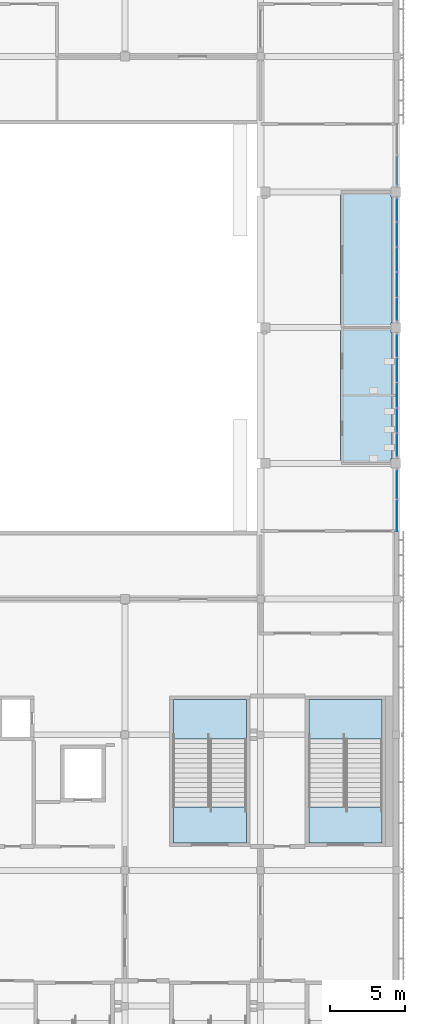
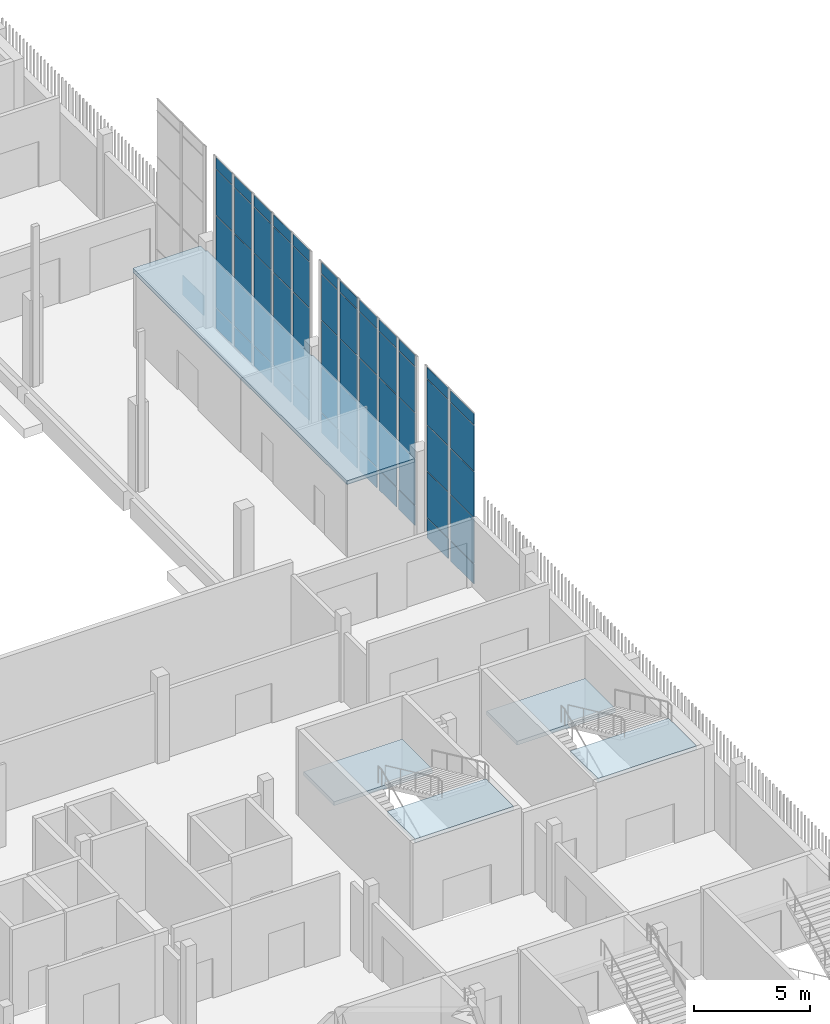
# One storey, part 38 of 91: 61 plates, 5 slabs, 6 elements without a shape of their own.
"""IFC4 building model written with IfcOpenShell, lengths in metres."""

from ifc_helpers import new_model, si_unit, direction, frame, origin, origin_2d, place, context, subcontext, project, spatial, polyline, rectangle, outline, extrude, material, layer, layer_set, type_object, element, aggregate, save


model = new_model("IFC4")

# Units and contexts
model_context = context("Model", 3, precision=1e-05, world=origin(), true_north=direction((0.0, 1.0)))
body_context = subcontext(model_context, "Body", "Model", "MODEL_VIEW")
ifc_project = project(units=[si_unit("LENGTHUNIT", "METRE"), si_unit("AREAUNIT", "SQUARE_METRE"), si_unit("VOLUMEUNIT", "CUBIC_METRE"), si_unit("PLANEANGLEUNIT", "RADIAN"), si_unit("MASSUNIT", "GRAM", prefix="KILO")], contexts=[model_context])

# Site, building, storey
site_placement = place(None, origin())
site = spatial("IfcSite", under=ifc_project, at=site_placement, CompositionType="ELEMENT")
building_placement = place(site_placement, origin())
building = spatial("IfcBuilding", under=site, at=building_placement, Name="Shirokan Park Arena", CompositionType="ELEMENT")
storey_placement = place(building_placement, frame((0.0, 0.0, 24.570068359375)))
storey = spatial("IfcBuildingStorey", under=building, at=storey_placement, Name="L05", CompositionType="ELEMENT", Elevation=24.570068359375)

# Curtain wall, plates
ifc_material_1 = material(Name="Steel and glass curtain wall", Category="steel")
ifc_layer_1 = layer(ifc_material_1, 0.199951171875)
ifc_layer_set_1 = layer_set([ifc_layer_1], Name="Steel and glass curtain wall 200 mm")
curtain_wall_type = type_object("IfcCurtainWallType", Name="Curtain wall hall bay 200", PredefinedType="NOTDEFINED", material=ifc_layer_set_1)
curtain_wall_1_placement = place(storey_placement, origin())
curtain_wall_1 = element("IfcCurtainWall", 1, at=curtain_wall_1_placement, inside=storey, type_object=curtain_wall_type, Name="Curtain wall east bay 5 L05", PredefinedType="NOTDEFINED")
ifc_material_2 = material(Name="Toughened glass", Category="glass")
ifc_layer_2 = layer(ifc_material_2, 0.012939453125, Name="Toughened glass")
ifc_material_3 = material(Name="Interlayer film")
ifc_layer_3 = layer(ifc_material_3, 0.001953125, Name="Interlayer film")
ifc_layer_4 = layer(ifc_material_2, 0.012939453125, Name="Toughened glass")
ifc_layer_set_2 = layer_set([ifc_layer_2, ifc_layer_3, ifc_layer_4], Name="Toughened glass + Interlayer film")
plate_type_1 = type_object("IfcPlateType", Name="Laminated glass panel 28", PredefinedType="CURTAIN_PANEL", material=ifc_layer_set_2)
plate_1_placement = place(storey_placement, frame((145.64990234375, 41.956298828125, 1.1201171875), z_axis=(0.0, 0.0, 1.0), x_axis=(0.0, 1.0, 0.0)))
plate_1 = element("IfcPlate", 2, at=plate_1_placement, type_object=plate_type_1, Name="CW5 panel 1.2", PredefinedType="CURTAIN_PANEL", context=body_context, shape_type="SweptSolid", body=[
    extrude(rectangle(XDim=2.012451171875, YDim=0.028076171875, at=origin_2d()), origin(), (0.0, 0.0, 1.0), 2.393310546875),
])
plate_2_placement = place(storey_placement, frame((145.64990234375, 41.956298828125, 3.55322265625), z_axis=(0.0, 0.0, 1.0), x_axis=(0.0, 1.0, 0.0)))
plate_2 = element("IfcPlate", 3, at=plate_2_placement, type_object=plate_type_1, Name="CW5 panel 1.3", PredefinedType="CURTAIN_PANEL", context=body_context, shape_type="SweptSolid", body=[
    extrude(rectangle(XDim=2.012451171875, YDim=0.028076171875, at=origin_2d()), origin(), (0.0, 0.0, 1.0), 2.393310546875),
])
plate_3_placement = place(storey_placement, frame((145.64990234375, 41.956298828125, 5.98681640625), z_axis=(0.0, 0.0, 1.0), x_axis=(0.0, 1.0, 0.0)))
plate_3 = element("IfcPlate", 4, at=plate_3_placement, type_object=plate_type_1, Name="CW5 panel 1.4", PredefinedType="CURTAIN_PANEL", context=body_context, shape_type="SweptSolid", body=[
    extrude(rectangle(XDim=2.012451171875, YDim=0.028076171875, at=origin_2d()), origin(), (0.0, 0.0, 1.0), 2.393310546875),
])
plate_4_placement = place(storey_placement, frame((145.64990234375, 41.956298828125, 8.419921875), z_axis=(0.0, 0.0, 1.0), x_axis=(0.0, 1.0, 0.0)))
plate_4 = element("IfcPlate", 5, at=plate_4_placement, type_object=plate_type_1, Name="CW5 panel 1.5", PredefinedType="CURTAIN_PANEL", context=body_context, shape_type="SweptSolid", body=[
    extrude(rectangle(XDim=2.012451171875, YDim=0.028076171875, at=origin_2d()), origin(), (0.0, 0.0, 1.0), 0.590087890625),
])
plate_5_placement = place(storey_placement, frame((145.64990234375, 44.06884765625, 1.1201171875), z_axis=(0.0, 0.0, 1.0), x_axis=(0.0, 1.0, 0.0)))
plate_5 = element("IfcPlate", 6, at=plate_5_placement, type_object=plate_type_1, Name="CW5 panel 2.2", PredefinedType="CURTAIN_PANEL", context=body_context, shape_type="SweptSolid", body=[
    extrude(rectangle(XDim=1.8125, YDim=0.028076171875, at=origin_2d()), origin(), (0.0, 0.0, 1.0), 2.393310546875),
])
plate_6_placement = place(storey_placement, frame((145.64990234375, 44.06884765625, 3.55322265625), z_axis=(0.0, 0.0, 1.0), x_axis=(0.0, 1.0, 0.0)))
plate_6 = element("IfcPlate", 7, at=plate_6_placement, type_object=plate_type_1, Name="CW5 panel 2.3", PredefinedType="CURTAIN_PANEL", context=body_context, shape_type="SweptSolid", body=[
    extrude(rectangle(XDim=1.8125, YDim=0.028076171875, at=origin_2d()), origin(), (0.0, 0.0, 1.0), 2.393310546875),
])
plate_7_placement = place(storey_placement, frame((145.64990234375, 44.06884765625, 5.98681640625), z_axis=(0.0, 0.0, 1.0), x_axis=(0.0, 1.0, 0.0)))
plate_7 = element("IfcPlate", 8, at=plate_7_placement, type_object=plate_type_1, Name="CW5 panel 2.4", PredefinedType="CURTAIN_PANEL", context=body_context, shape_type="SweptSolid", body=[
    extrude(rectangle(XDim=1.8125, YDim=0.028076171875, at=origin_2d()), origin(), (0.0, 0.0, 1.0), 2.393310546875),
])
plate_8_placement = place(storey_placement, frame((145.64990234375, 44.06884765625, 8.419921875), z_axis=(0.0, 0.0, 1.0), x_axis=(0.0, 1.0, 0.0)))
plate_8 = element("IfcPlate", 9, at=plate_8_placement, type_object=plate_type_1, Name="CW5 panel 2.5", PredefinedType="CURTAIN_PANEL", context=body_context, shape_type="SweptSolid", body=[
    extrude(rectangle(XDim=1.8125, YDim=0.028076171875, at=origin_2d()), origin(), (0.0, 0.0, 1.0), 0.590087890625),
])

curtain_wall_2_placement = place(storey_placement, origin())
curtain_wall_2 = element("IfcCurtainWall", 10, at=curtain_wall_2_placement, inside=storey, type_object=curtain_wall_type, Name="Curtain wall east bay 6 L05", PredefinedType="NOTDEFINED")
plate_9_placement = place(storey_placement, frame((145.64990234375, 46.719970703125, 1.1201171875), z_axis=(0.0, 0.0, 1.0), x_axis=(0.0, 1.0, 0.0)))
plate_9 = element("IfcPlate", 11, at=plate_9_placement, type_object=plate_type_1, Name="CW5 panel 1.2", PredefinedType="CURTAIN_PANEL", context=body_context, shape_type="SweptSolid", body=[
    extrude(rectangle(XDim=1.389892578125, YDim=0.028076171875, at=origin_2d()), origin(), (0.0, 0.0, 1.0), 2.393310546875),
])
plate_10_placement = place(storey_placement, frame((145.64990234375, 46.719970703125, 3.55322265625), z_axis=(0.0, 0.0, 1.0), x_axis=(0.0, 1.0, 0.0)))
plate_10 = element("IfcPlate", 12, at=plate_10_placement, type_object=plate_type_1, Name="CW5 panel 1.3", PredefinedType="CURTAIN_PANEL", context=body_context, shape_type="SweptSolid", body=[
    extrude(rectangle(XDim=1.389892578125, YDim=0.028076171875, at=origin_2d()), origin(), (0.0, 0.0, 1.0), 2.393310546875),
])
plate_11_placement = place(storey_placement, frame((145.64990234375, 46.719970703125, 5.98681640625), z_axis=(0.0, 0.0, 1.0), x_axis=(0.0, 1.0, 0.0)))
plate_11 = element("IfcPlate", 13, at=plate_11_placement, type_object=plate_type_1, Name="CW5 panel 1.4", PredefinedType="CURTAIN_PANEL", context=body_context, shape_type="SweptSolid", body=[
    extrude(rectangle(XDim=1.389892578125, YDim=0.028076171875, at=origin_2d()), origin(), (0.0, 0.0, 1.0), 2.393310546875),
])
plate_12_placement = place(storey_placement, frame((145.64990234375, 46.719970703125, 8.419921875), z_axis=(0.0, 0.0, 1.0), x_axis=(0.0, 1.0, 0.0)))
plate_12 = element("IfcPlate", 14, at=plate_12_placement, type_object=plate_type_1, Name="CW5 panel 1.5", PredefinedType="CURTAIN_PANEL", context=body_context, shape_type="SweptSolid", body=[
    extrude(rectangle(XDim=1.389892578125, YDim=0.028076171875, at=origin_2d()), origin(), (0.0, 0.0, 1.0), 0.590087890625),
])
plate_13_placement = place(storey_placement, frame((145.64990234375, 48.360107421875, 1.1201171875), z_axis=(0.0, 0.0, 1.0), x_axis=(0.0, 1.0, 0.0)))
plate_13 = element("IfcPlate", 15, at=plate_13_placement, type_object=plate_type_1, Name="CW5 panel 2.2", PredefinedType="CURTAIN_PANEL", context=body_context, shape_type="SweptSolid", body=[
    extrude(rectangle(XDim=1.489990234375, YDim=0.028076171875, at=origin_2d()), origin(), (0.0, 0.0, 1.0), 2.393310546875),
])
plate_14_placement = place(storey_placement, frame((145.64990234375, 48.360107421875, 3.55322265625), z_axis=(0.0, 0.0, 1.0), x_axis=(0.0, 1.0, 0.0)))
plate_14 = element("IfcPlate", 16, at=plate_14_placement, type_object=plate_type_1, Name="CW5 panel 2.3", PredefinedType="CURTAIN_PANEL", context=body_context, shape_type="SweptSolid", body=[
    extrude(rectangle(XDim=1.489990234375, YDim=0.028076171875, at=origin_2d()), origin(), (0.0, 0.0, 1.0), 2.393310546875),
])
plate_15_placement = place(storey_placement, frame((145.64990234375, 48.360107421875, 5.98681640625), z_axis=(0.0, 0.0, 1.0), x_axis=(0.0, 1.0, 0.0)))
plate_15 = element("IfcPlate", 17, at=plate_15_placement, type_object=plate_type_1, Name="CW5 panel 2.4", PredefinedType="CURTAIN_PANEL", context=body_context, shape_type="SweptSolid", body=[
    extrude(rectangle(XDim=1.489990234375, YDim=0.028076171875, at=origin_2d()), origin(), (0.0, 0.0, 1.0), 2.393310546875),
])
plate_16_placement = place(storey_placement, frame((145.64990234375, 48.360107421875, 8.419921875), z_axis=(0.0, 0.0, 1.0), x_axis=(0.0, 1.0, 0.0)))
plate_16 = element("IfcPlate", 18, at=plate_16_placement, type_object=plate_type_1, Name="CW5 panel 2.5", PredefinedType="CURTAIN_PANEL", context=body_context, shape_type="SweptSolid", body=[
    extrude(rectangle(XDim=1.489990234375, YDim=0.028076171875, at=origin_2d()), origin(), (0.0, 0.0, 1.0), 0.590087890625),
])
plate_17_placement = place(storey_placement, frame((145.64990234375, 50.050048828125, 1.1201171875), z_axis=(0.0, 0.0, 1.0), x_axis=(0.0, 1.0, 0.0)))
plate_17 = element("IfcPlate", 19, at=plate_17_placement, type_object=plate_type_1, Name="CW5 panel 3.2", PredefinedType="CURTAIN_PANEL", context=body_context, shape_type="SweptSolid", body=[
    extrude(rectangle(XDim=1.489990234375, YDim=0.028076171875, at=origin_2d()), origin(), (0.0, 0.0, 1.0), 2.393310546875),
])
plate_18_placement = place(storey_placement, frame((145.64990234375, 50.050048828125, 3.55322265625), z_axis=(0.0, 0.0, 1.0), x_axis=(0.0, 1.0, 0.0)))
plate_18 = element("IfcPlate", 20, at=plate_18_placement, type_object=plate_type_1, Name="CW5 panel 3.3", PredefinedType="CURTAIN_PANEL", context=body_context, shape_type="SweptSolid", body=[
    extrude(rectangle(XDim=1.489990234375, YDim=0.028076171875, at=origin_2d()), origin(), (0.0, 0.0, 1.0), 2.393310546875),
])
plate_19_placement = place(storey_placement, frame((145.64990234375, 50.050048828125, 5.98681640625), z_axis=(0.0, 0.0, 1.0), x_axis=(0.0, 1.0, 0.0)))
plate_19 = element("IfcPlate", 21, at=plate_19_placement, type_object=plate_type_1, Name="CW5 panel 3.4", PredefinedType="CURTAIN_PANEL", context=body_context, shape_type="SweptSolid", body=[
    extrude(rectangle(XDim=1.489990234375, YDim=0.028076171875, at=origin_2d()), origin(), (0.0, 0.0, 1.0), 2.393310546875),
])
plate_20_placement = place(storey_placement, frame((145.64990234375, 50.050048828125, 8.419921875), z_axis=(0.0, 0.0, 1.0), x_axis=(0.0, 1.0, 0.0)))
plate_20 = element("IfcPlate", 22, at=plate_20_placement, type_object=plate_type_1, Name="CW5 panel 3.5", PredefinedType="CURTAIN_PANEL", context=body_context, shape_type="SweptSolid", body=[
    extrude(rectangle(XDim=1.489990234375, YDim=0.028076171875, at=origin_2d()), origin(), (0.0, 0.0, 1.0), 0.590087890625),
])
plate_21_placement = place(storey_placement, frame((145.64990234375, 51.739990234375, 1.1201171875), z_axis=(0.0, 0.0, 1.0), x_axis=(0.0, 1.0, 0.0)))
plate_21 = element("IfcPlate", 23, at=plate_21_placement, type_object=plate_type_1, Name="CW5 panel 4.2", PredefinedType="CURTAIN_PANEL", context=body_context, shape_type="SweptSolid", body=[
    extrude(rectangle(XDim=1.489990234375, YDim=0.028076171875, at=origin_2d()), origin(), (0.0, 0.0, 1.0), 2.393310546875),
])
plate_22_placement = place(storey_placement, frame((145.64990234375, 51.739990234375, 3.55322265625), z_axis=(0.0, 0.0, 1.0), x_axis=(0.0, 1.0, 0.0)))
plate_22 = element("IfcPlate", 24, at=plate_22_placement, type_object=plate_type_1, Name="CW5 panel 4.3", PredefinedType="CURTAIN_PANEL", context=body_context, shape_type="SweptSolid", body=[
    extrude(rectangle(XDim=1.489990234375, YDim=0.028076171875, at=origin_2d()), origin(), (0.0, 0.0, 1.0), 2.393310546875),
])
plate_23_placement = place(storey_placement, frame((145.64990234375, 51.739990234375, 5.98681640625), z_axis=(0.0, 0.0, 1.0), x_axis=(0.0, 1.0, 0.0)))
plate_23 = element("IfcPlate", 25, at=plate_23_placement, type_object=plate_type_1, Name="CW5 panel 4.4", PredefinedType="CURTAIN_PANEL", context=body_context, shape_type="SweptSolid", body=[
    extrude(rectangle(XDim=1.489990234375, YDim=0.028076171875, at=origin_2d()), origin(), (0.0, 0.0, 1.0), 2.393310546875),
])
plate_24_placement = place(storey_placement, frame((145.64990234375, 51.739990234375, 8.419921875), z_axis=(0.0, 0.0, 1.0), x_axis=(0.0, 1.0, 0.0)))
plate_24 = element("IfcPlate", 26, at=plate_24_placement, type_object=plate_type_1, Name="CW5 panel 4.5", PredefinedType="CURTAIN_PANEL", context=body_context, shape_type="SweptSolid", body=[
    extrude(rectangle(XDim=1.489990234375, YDim=0.028076171875, at=origin_2d()), origin(), (0.0, 0.0, 1.0), 0.590087890625),
])
plate_25_placement = place(storey_placement, frame((145.64990234375, 53.3798828125, 1.1201171875), z_axis=(0.0, 0.0, 1.0), x_axis=(0.0, 1.0, 0.0)))
plate_25 = element("IfcPlate", 27, at=plate_25_placement, type_object=plate_type_1, Name="CW5 panel 5.2", PredefinedType="CURTAIN_PANEL", context=body_context, shape_type="SweptSolid", body=[
    extrude(rectangle(XDim=1.389892578125, YDim=0.028076171875, at=origin_2d()), origin(), (0.0, 0.0, 1.0), 2.393310546875),
])
plate_26_placement = place(storey_placement, frame((145.64990234375, 53.3798828125, 3.55322265625), z_axis=(0.0, 0.0, 1.0), x_axis=(0.0, 1.0, 0.0)))
plate_26 = element("IfcPlate", 28, at=plate_26_placement, type_object=plate_type_1, Name="CW5 panel 5.3", PredefinedType="CURTAIN_PANEL", context=body_context, shape_type="SweptSolid", body=[
    extrude(rectangle(XDim=1.389892578125, YDim=0.028076171875, at=origin_2d()), origin(), (0.0, 0.0, 1.0), 2.393310546875),
])
plate_27_placement = place(storey_placement, frame((145.64990234375, 53.3798828125, 5.98681640625), z_axis=(0.0, 0.0, 1.0), x_axis=(0.0, 1.0, 0.0)))
plate_27 = element("IfcPlate", 29, at=plate_27_placement, type_object=plate_type_1, Name="CW5 panel 5.4", PredefinedType="CURTAIN_PANEL", context=body_context, shape_type="SweptSolid", body=[
    extrude(rectangle(XDim=1.389892578125, YDim=0.028076171875, at=origin_2d()), origin(), (0.0, 0.0, 1.0), 2.393310546875),
])
plate_28_placement = place(storey_placement, frame((145.64990234375, 53.3798828125, 8.419921875), z_axis=(0.0, 0.0, 1.0), x_axis=(0.0, 1.0, 0.0)))
plate_28 = element("IfcPlate", 30, at=plate_28_placement, type_object=plate_type_1, Name="CW5 panel 5.5", PredefinedType="CURTAIN_PANEL", context=body_context, shape_type="SweptSolid", body=[
    extrude(rectangle(XDim=1.389892578125, YDim=0.028076171875, at=origin_2d()), origin(), (0.0, 0.0, 1.0), 0.590087890625),
])

curtain_wall_3_placement = place(storey_placement, origin())
curtain_wall_3 = element("IfcCurtainWall", 31, at=curtain_wall_3_placement, inside=storey, type_object=curtain_wall_type, Name="Curtain wall east bay 7 L05", PredefinedType="NOTDEFINED")
plate_29_placement = place(storey_placement, frame((145.64990234375, 55.820068359375, 1.1201171875), z_axis=(0.0, 0.0, 1.0), x_axis=(0.0, 1.0, 0.0)))
plate_29 = element("IfcPlate", 32, at=plate_29_placement, type_object=plate_type_1, Name="CW5 panel 1.2", PredefinedType="CURTAIN_PANEL", context=body_context, shape_type="SweptSolid", body=[
    extrude(rectangle(XDim=1.389892578125, YDim=0.028076171875, at=origin_2d()), origin(), (0.0, 0.0, 1.0), 2.393310546875),
])
plate_30_placement = place(storey_placement, frame((145.64990234375, 55.820068359375, 3.55322265625), z_axis=(0.0, 0.0, 1.0), x_axis=(0.0, 1.0, 0.0)))
plate_30 = element("IfcPlate", 33, at=plate_30_placement, type_object=plate_type_1, Name="CW5 panel 1.3", PredefinedType="CURTAIN_PANEL", context=body_context, shape_type="SweptSolid", body=[
    extrude(rectangle(XDim=1.389892578125, YDim=0.028076171875, at=origin_2d()), origin(), (0.0, 0.0, 1.0), 2.393310546875),
])
plate_31_placement = place(storey_placement, frame((145.64990234375, 55.820068359375, 5.98681640625), z_axis=(0.0, 0.0, 1.0), x_axis=(0.0, 1.0, 0.0)))
plate_31 = element("IfcPlate", 34, at=plate_31_placement, type_object=plate_type_1, Name="CW5 panel 1.4", PredefinedType="CURTAIN_PANEL", context=body_context, shape_type="SweptSolid", body=[
    extrude(rectangle(XDim=1.389892578125, YDim=0.028076171875, at=origin_2d()), origin(), (0.0, 0.0, 1.0), 2.393310546875),
])
plate_32_placement = place(storey_placement, frame((145.64990234375, 55.820068359375, 8.419921875), z_axis=(0.0, 0.0, 1.0), x_axis=(0.0, 1.0, 0.0)))
plate_32 = element("IfcPlate", 35, at=plate_32_placement, type_object=plate_type_1, Name="CW5 panel 1.5", PredefinedType="CURTAIN_PANEL", context=body_context, shape_type="SweptSolid", body=[
    extrude(rectangle(XDim=1.389892578125, YDim=0.028076171875, at=origin_2d()), origin(), (0.0, 0.0, 1.0), 0.590087890625),
])
plate_33_placement = place(storey_placement, frame((145.64990234375, 57.4599609375, 1.1201171875), z_axis=(0.0, 0.0, 1.0), x_axis=(0.0, 1.0, 0.0)))
plate_33 = element("IfcPlate", 36, at=plate_33_placement, type_object=plate_type_1, Name="CW5 panel 2.2", PredefinedType="CURTAIN_PANEL", context=body_context, shape_type="SweptSolid", body=[
    extrude(rectangle(XDim=1.489990234375, YDim=0.028076171875, at=origin_2d()), origin(), (0.0, 0.0, 1.0), 2.393310546875),
])
plate_34_placement = place(storey_placement, frame((145.64990234375, 57.4599609375, 3.55322265625), z_axis=(0.0, 0.0, 1.0), x_axis=(0.0, 1.0, 0.0)))
plate_34 = element("IfcPlate", 37, at=plate_34_placement, type_object=plate_type_1, Name="CW5 panel 2.3", PredefinedType="CURTAIN_PANEL", context=body_context, shape_type="SweptSolid", body=[
    extrude(rectangle(XDim=1.489990234375, YDim=0.028076171875, at=origin_2d()), origin(), (0.0, 0.0, 1.0), 2.393310546875),
])
plate_35_placement = place(storey_placement, frame((145.64990234375, 57.4599609375, 5.98681640625), z_axis=(0.0, 0.0, 1.0), x_axis=(0.0, 1.0, 0.0)))
plate_35 = element("IfcPlate", 38, at=plate_35_placement, type_object=plate_type_1, Name="CW5 panel 2.4", PredefinedType="CURTAIN_PANEL", context=body_context, shape_type="SweptSolid", body=[
    extrude(rectangle(XDim=1.489990234375, YDim=0.028076171875, at=origin_2d()), origin(), (0.0, 0.0, 1.0), 2.393310546875),
])
plate_36_placement = place(storey_placement, frame((145.64990234375, 57.4599609375, 8.419921875), z_axis=(0.0, 0.0, 1.0), x_axis=(0.0, 1.0, 0.0)))
plate_36 = element("IfcPlate", 39, at=plate_36_placement, type_object=plate_type_1, Name="CW5 panel 2.5", PredefinedType="CURTAIN_PANEL", context=body_context, shape_type="SweptSolid", body=[
    extrude(rectangle(XDim=1.489990234375, YDim=0.028076171875, at=origin_2d()), origin(), (0.0, 0.0, 1.0), 0.590087890625),
])
plate_37_placement = place(storey_placement, frame((145.64990234375, 59.14990234375, 1.1201171875), z_axis=(0.0, 0.0, 1.0), x_axis=(0.0, 1.0, 0.0)))
plate_37 = element("IfcPlate", 40, at=plate_37_placement, type_object=plate_type_1, Name="CW5 panel 3.2", PredefinedType="CURTAIN_PANEL", context=body_context, shape_type="SweptSolid", body=[
    extrude(rectangle(XDim=1.489990234375, YDim=0.028076171875, at=origin_2d()), origin(), (0.0, 0.0, 1.0), 2.393310546875),
])
plate_38_placement = place(storey_placement, frame((145.64990234375, 59.14990234375, 3.55322265625), z_axis=(0.0, 0.0, 1.0), x_axis=(0.0, 1.0, 0.0)))
plate_38 = element("IfcPlate", 41, at=plate_38_placement, type_object=plate_type_1, Name="CW5 panel 3.3", PredefinedType="CURTAIN_PANEL", context=body_context, shape_type="SweptSolid", body=[
    extrude(rectangle(XDim=1.489990234375, YDim=0.028076171875, at=origin_2d()), origin(), (0.0, 0.0, 1.0), 2.393310546875),
])
plate_39_placement = place(storey_placement, frame((145.64990234375, 59.14990234375, 5.98681640625), z_axis=(0.0, 0.0, 1.0), x_axis=(0.0, 1.0, 0.0)))
plate_39 = element("IfcPlate", 42, at=plate_39_placement, type_object=plate_type_1, Name="CW5 panel 3.4", PredefinedType="CURTAIN_PANEL", context=body_context, shape_type="SweptSolid", body=[
    extrude(rectangle(XDim=1.489990234375, YDim=0.028076171875, at=origin_2d()), origin(), (0.0, 0.0, 1.0), 2.393310546875),
])
plate_40_placement = place(storey_placement, frame((145.64990234375, 59.14990234375, 8.419921875), z_axis=(0.0, 0.0, 1.0), x_axis=(0.0, 1.0, 0.0)))
plate_40 = element("IfcPlate", 43, at=plate_40_placement, type_object=plate_type_1, Name="CW5 panel 3.5", PredefinedType="CURTAIN_PANEL", context=body_context, shape_type="SweptSolid", body=[
    extrude(rectangle(XDim=1.489990234375, YDim=0.028076171875, at=origin_2d()), origin(), (0.0, 0.0, 1.0), 0.590087890625),
])
plate_41_placement = place(storey_placement, frame((145.64990234375, 60.840087890625, 1.1201171875), z_axis=(0.0, 0.0, 1.0), x_axis=(0.0, 1.0, 0.0)))
plate_41 = element("IfcPlate", 44, at=plate_41_placement, type_object=plate_type_1, Name="CW5 panel 4.2", PredefinedType="CURTAIN_PANEL", context=body_context, shape_type="SweptSolid", body=[
    extrude(rectangle(XDim=1.489990234375, YDim=0.028076171875, at=origin_2d()), origin(), (0.0, 0.0, 1.0), 2.393310546875),
])
plate_42_placement = place(storey_placement, frame((145.64990234375, 60.840087890625, 3.55322265625), z_axis=(0.0, 0.0, 1.0), x_axis=(0.0, 1.0, 0.0)))
plate_42 = element("IfcPlate", 45, at=plate_42_placement, type_object=plate_type_1, Name="CW5 panel 4.3", PredefinedType="CURTAIN_PANEL", context=body_context, shape_type="SweptSolid", body=[
    extrude(rectangle(XDim=1.489990234375, YDim=0.028076171875, at=origin_2d()), origin(), (0.0, 0.0, 1.0), 2.393310546875),
])
plate_43_placement = place(storey_placement, frame((145.64990234375, 60.840087890625, 5.98681640625), z_axis=(0.0, 0.0, 1.0), x_axis=(0.0, 1.0, 0.0)))
plate_43 = element("IfcPlate", 46, at=plate_43_placement, type_object=plate_type_1, Name="CW5 panel 4.4", PredefinedType="CURTAIN_PANEL", context=body_context, shape_type="SweptSolid", body=[
    extrude(rectangle(XDim=1.489990234375, YDim=0.028076171875, at=origin_2d()), origin(), (0.0, 0.0, 1.0), 2.393310546875),
])
plate_44_placement = place(storey_placement, frame((145.64990234375, 60.840087890625, 8.419921875), z_axis=(0.0, 0.0, 1.0), x_axis=(0.0, 1.0, 0.0)))
plate_44 = element("IfcPlate", 47, at=plate_44_placement, type_object=plate_type_1, Name="CW5 panel 4.5", PredefinedType="CURTAIN_PANEL", context=body_context, shape_type="SweptSolid", body=[
    extrude(rectangle(XDim=1.489990234375, YDim=0.028076171875, at=origin_2d()), origin(), (0.0, 0.0, 1.0), 0.590087890625),
])
plate_45_placement = place(storey_placement, frame((145.64990234375, 62.47998046875, 1.1201171875), z_axis=(0.0, 0.0, 1.0), x_axis=(0.0, 1.0, 0.0)))
plate_45 = element("IfcPlate", 48, at=plate_45_placement, type_object=plate_type_1, Name="CW5 panel 5.2", PredefinedType="CURTAIN_PANEL", context=body_context, shape_type="SweptSolid", body=[
    extrude(rectangle(XDim=1.389892578125, YDim=0.028076171875, at=origin_2d()), origin(), (0.0, 0.0, 1.0), 2.393310546875),
])
plate_46_placement = place(storey_placement, frame((145.64990234375, 62.47998046875, 3.55322265625), z_axis=(0.0, 0.0, 1.0), x_axis=(0.0, 1.0, 0.0)))
plate_46 = element("IfcPlate", 49, at=plate_46_placement, type_object=plate_type_1, Name="CW5 panel 5.3", PredefinedType="CURTAIN_PANEL", context=body_context, shape_type="SweptSolid", body=[
    extrude(rectangle(XDim=1.389892578125, YDim=0.028076171875, at=origin_2d()), origin(), (0.0, 0.0, 1.0), 2.393310546875),
])
plate_47_placement = place(storey_placement, frame((145.64990234375, 62.47998046875, 5.98681640625), z_axis=(0.0, 0.0, 1.0), x_axis=(0.0, 1.0, 0.0)))
plate_47 = element("IfcPlate", 50, at=plate_47_placement, type_object=plate_type_1, Name="CW5 panel 5.4", PredefinedType="CURTAIN_PANEL", context=body_context, shape_type="SweptSolid", body=[
    extrude(rectangle(XDim=1.389892578125, YDim=0.028076171875, at=origin_2d()), origin(), (0.0, 0.0, 1.0), 2.393310546875),
])
plate_48_placement = place(storey_placement, frame((145.64990234375, 62.47998046875, 8.419921875), z_axis=(0.0, 0.0, 1.0), x_axis=(0.0, 1.0, 0.0)))
plate_48 = element("IfcPlate", 51, at=plate_48_placement, type_object=plate_type_1, Name="CW5 panel 5.5", PredefinedType="CURTAIN_PANEL", context=body_context, shape_type="SweptSolid", body=[
    extrude(rectangle(XDim=1.389892578125, YDim=0.028076171875, at=origin_2d()), origin(), (0.0, 0.0, 1.0), 0.590087890625),
])

# Plate
ifc_layer_5 = layer(ifc_material_2, 0.01708984375, Name="Toughened glass")
ifc_layer_6 = layer(ifc_material_3, 0.001953125, Name="Interlayer film")
ifc_layer_7 = layer(ifc_material_2, 0.01708984375, Name="Toughened glass")
ifc_layer_set_3 = layer_set([ifc_layer_5, ifc_layer_6, ifc_layer_7], Name="Toughened glass + Interlayer film")
plate_type_2 = type_object("IfcPlateType", Name="Laminated safety glass panel 36", PredefinedType="CURTAIN_PANEL", material=ifc_layer_set_3)
plate_49_placement = place(storey_placement, frame((145.64990234375, 41.956298828125, 0.039794921875), z_axis=(0.0, 0.0, 1.0), x_axis=(0.0, 1.0, 0.0)))
plate_49 = element("IfcPlate", 52, at=plate_49_placement, type_object=plate_type_2, Name="CW5 panel 1.1", PredefinedType="CURTAIN_PANEL", context=body_context, shape_type="SweptSolid", body=[
    extrude(rectangle(XDim=2.012451171875, YDim=0.035888671875, at=origin_2d()), origin(), (0.0, 0.0, 1.0), 1.0400390625),
])

plate_50_placement = place(storey_placement, frame((145.64990234375, 44.06884765625, 0.039794921875), z_axis=(0.0, 0.0, 1.0), x_axis=(0.0, 1.0, 0.0)))
plate_50 = element("IfcPlate", 53, at=plate_50_placement, type_object=plate_type_2, Name="CW5 panel 2.1", PredefinedType="CURTAIN_PANEL", context=body_context, shape_type="SweptSolid", body=[
    extrude(rectangle(XDim=1.8125, YDim=0.035888671875, at=origin_2d()), origin(), (0.0, 0.0, 1.0), 1.0400390625),
])

aggregate(curtain_wall_1, [plate_49, plate_1, plate_2, plate_3, plate_4, plate_50, plate_5, plate_6, plate_7, plate_8])

plate_51_placement = place(storey_placement, frame((145.64990234375, 46.719970703125, 0.039794921875), z_axis=(0.0, 0.0, 1.0), x_axis=(0.0, 1.0, 0.0)))
plate_51 = element("IfcPlate", 54, at=plate_51_placement, type_object=plate_type_2, Name="CW5 panel 1.1", PredefinedType="CURTAIN_PANEL", context=body_context, shape_type="SweptSolid", body=[
    extrude(rectangle(XDim=1.389892578125, YDim=0.035888671875, at=origin_2d()), origin(), (0.0, 0.0, 1.0), 1.0400390625),
])

plate_52_placement = place(storey_placement, frame((145.64990234375, 48.360107421875, 0.039794921875), z_axis=(0.0, 0.0, 1.0), x_axis=(0.0, 1.0, 0.0)))
plate_52 = element("IfcPlate", 55, at=plate_52_placement, type_object=plate_type_2, Name="CW5 panel 2.1", PredefinedType="CURTAIN_PANEL", context=body_context, shape_type="SweptSolid", body=[
    extrude(rectangle(XDim=1.489990234375, YDim=0.035888671875, at=origin_2d()), origin(), (0.0, 0.0, 1.0), 1.0400390625),
])

plate_53_placement = place(storey_placement, frame((145.64990234375, 50.050048828125, 0.039794921875), z_axis=(0.0, 0.0, 1.0), x_axis=(0.0, 1.0, 0.0)))
plate_53 = element("IfcPlate", 56, at=plate_53_placement, type_object=plate_type_2, Name="CW5 panel 3.1", PredefinedType="CURTAIN_PANEL", context=body_context, shape_type="SweptSolid", body=[
    extrude(rectangle(XDim=1.489990234375, YDim=0.035888671875, at=origin_2d()), origin(), (0.0, 0.0, 1.0), 1.0400390625),
])

plate_54_placement = place(storey_placement, frame((145.64990234375, 51.739990234375, 0.039794921875), z_axis=(0.0, 0.0, 1.0), x_axis=(0.0, 1.0, 0.0)))
plate_54 = element("IfcPlate", 57, at=plate_54_placement, type_object=plate_type_2, Name="CW5 panel 4.1", PredefinedType="CURTAIN_PANEL", context=body_context, shape_type="SweptSolid", body=[
    extrude(rectangle(XDim=1.489990234375, YDim=0.035888671875, at=origin_2d()), origin(), (0.0, 0.0, 1.0), 1.0400390625),
])

plate_55_placement = place(storey_placement, frame((145.64990234375, 53.3798828125, 0.039794921875), z_axis=(0.0, 0.0, 1.0), x_axis=(0.0, 1.0, 0.0)))
plate_55 = element("IfcPlate", 58, at=plate_55_placement, type_object=plate_type_2, Name="CW5 panel 5.1", PredefinedType="CURTAIN_PANEL", context=body_context, shape_type="SweptSolid", body=[
    extrude(rectangle(XDim=1.389892578125, YDim=0.035888671875, at=origin_2d()), origin(), (0.0, 0.0, 1.0), 1.0400390625),
])

aggregate(curtain_wall_2, [plate_51, plate_9, plate_10, plate_11, plate_12, plate_52, plate_13, plate_14, plate_15, plate_16, plate_53, plate_17, plate_18, plate_19, plate_20, plate_54, plate_21, plate_22, plate_23, plate_24, plate_55, plate_25, plate_26, plate_27, plate_28])

plate_56_placement = place(storey_placement, frame((145.64990234375, 55.820068359375, 0.039794921875), z_axis=(0.0, 0.0, 1.0), x_axis=(0.0, 1.0, 0.0)))
plate_56 = element("IfcPlate", 59, at=plate_56_placement, type_object=plate_type_2, Name="CW5 panel 1.1", PredefinedType="CURTAIN_PANEL", context=body_context, shape_type="SweptSolid", body=[
    extrude(rectangle(XDim=1.389892578125, YDim=0.035888671875, at=origin_2d()), origin(), (0.0, 0.0, 1.0), 1.0400390625),
])

plate_57_placement = place(storey_placement, frame((145.64990234375, 57.4599609375, 0.039794921875), z_axis=(0.0, 0.0, 1.0), x_axis=(0.0, 1.0, 0.0)))
plate_57 = element("IfcPlate", 60, at=plate_57_placement, type_object=plate_type_2, Name="CW5 panel 2.1", PredefinedType="CURTAIN_PANEL", context=body_context, shape_type="SweptSolid", body=[
    extrude(rectangle(XDim=1.489990234375, YDim=0.035888671875, at=origin_2d()), origin(), (0.0, 0.0, 1.0), 1.0400390625),
])

plate_58_placement = place(storey_placement, frame((145.64990234375, 59.14990234375, 0.039794921875), z_axis=(0.0, 0.0, 1.0), x_axis=(0.0, 1.0, 0.0)))
plate_58 = element("IfcPlate", 61, at=plate_58_placement, type_object=plate_type_2, Name="CW5 panel 3.1", PredefinedType="CURTAIN_PANEL", context=body_context, shape_type="SweptSolid", body=[
    extrude(rectangle(XDim=1.489990234375, YDim=0.035888671875, at=origin_2d()), origin(), (0.0, 0.0, 1.0), 1.0400390625),
])

plate_59_placement = place(storey_placement, frame((145.64990234375, 60.840087890625, 0.039794921875), z_axis=(0.0, 0.0, 1.0), x_axis=(0.0, 1.0, 0.0)))
plate_59 = element("IfcPlate", 62, at=plate_59_placement, type_object=plate_type_2, Name="CW5 panel 4.1", PredefinedType="CURTAIN_PANEL", context=body_context, shape_type="SweptSolid", body=[
    extrude(rectangle(XDim=1.489990234375, YDim=0.035888671875, at=origin_2d()), origin(), (0.0, 0.0, 1.0), 1.0400390625),
])

plate_60_placement = place(storey_placement, frame((145.64990234375, 62.47998046875, 0.039794921875), z_axis=(0.0, 0.0, 1.0), x_axis=(0.0, 1.0, 0.0)))
plate_60 = element("IfcPlate", 63, at=plate_60_placement, type_object=plate_type_2, Name="CW5 panel 5.1", PredefinedType="CURTAIN_PANEL", context=body_context, shape_type="SweptSolid", body=[
    extrude(rectangle(XDim=1.389892578125, YDim=0.035888671875, at=origin_2d()), origin(), (0.0, 0.0, 1.0), 1.0400390625),
])

aggregate(curtain_wall_3, [plate_56, plate_29, plate_30, plate_31, plate_32, plate_57, plate_33, plate_34, plate_35, plate_36, plate_58, plate_37, plate_38, plate_39, plate_40, plate_59, plate_41, plate_42, plate_43, plate_44, plate_60, plate_45, plate_46, plate_47, plate_48])

# Curtain wall, plate
curtain_wall_4_placement = place(storey_placement, origin())
curtain_wall_4 = element("IfcCurtainWall", 64, at=curtain_wall_4_placement, inside=storey, type_object=curtain_wall_type, Name="Curtain wall east bay 8 L05", PredefinedType="NOTDEFINED")
plate_61_placement = place(storey_placement, frame((145.64990234375, 65.13134765625, 0.039794921875), z_axis=(0.0, 0.0, 1.0), x_axis=(0.0, 1.0, 0.0)))
plate_61 = element("IfcPlate", 65, at=plate_61_placement, type_object=plate_type_2, Name="CW5 panel 1.1", PredefinedType="CURTAIN_PANEL", context=body_context, shape_type="SweptSolid", body=[
    extrude(rectangle(XDim=1.8125, YDim=0.035888671875, at=origin_2d()), origin(), (0.0, 0.0, 1.0), 1.0400390625),
])
aggregate(curtain_wall_4, [plate_61])

# Slab
ifc_material_4 = material(Name="Concrete C35", Category="concrete")
ifc_layer_8 = layer(ifc_material_4, 0.199951171875)
ifc_layer_set_4 = layer_set([ifc_layer_8], Name="Concrete C35 200 mm")
slab_type_1 = type_object("IfcSlabType", Name="Pavilion roof slab 200", PredefinedType="ROOF", material=ifc_layer_set_4)
slab_1_placement = place(storey_placement, frame((0.0, 0.0, 3.89990234375)))
element("IfcSlab", 66, at=slab_1_placement, inside=storey, type_object=slab_type_1, Name="Pavilion roof L05", PredefinedType="ROOF", context=body_context, shape_type="SweptSolid", body=[
    extrude(outline(polyline([(141.875, 63.824951171875), (145.25, 63.824951171875), (145.25, 63.375), (145.324951171875, 63.375), (145.324951171875, 54.925048828125), (145.25, 54.925048828125), (145.25, 54.27490234375), (145.324951171875, 54.27490234375), (145.324951171875, 45.824951171875), (145.25, 45.824951171875), (145.25, 45.375), (141.875, 45.375), (141.875, 63.824951171875)])), origin(), (0.0, 0.0, 1.0), 0.199951171875),
])

# Stair, slabs
ifc_material_5 = material(Name="Concrete C30 precast", Category="concrete")
stair_type = type_object("IfcStairType", Name="Stair 30 risers 152 x 327 2400 wide", PredefinedType="TWO_STRAIGHT_RUN_STAIR", material=ifc_material_5)
stair_1_placement = place(storey_placement, origin())
stair_1 = element("IfcStair", 67, at=stair_1_placement, inside=storey, type_object=stair_type, Name="Exit Stair 2.E L05 to L06", PredefinedType="TWO_STRAIGHT_RUN_STAIR")
ifc_layer_9 = layer(ifc_material_5, 0.199951171875)
ifc_layer_set_5 = layer_set([ifc_layer_9], Name="Concrete C30 precast 200 mm")
slab_type_2 = type_object("IfcSlabType", Name="Stair landing 200", PredefinedType="LANDING", material=ifc_layer_set_5)
slab_2_placement = place(storey_placement, frame((0.0, 0.0, 2.074951171875)))
slab_2 = element("IfcSlab", 68, at=slab_2_placement, type_object=slab_type_2, Name="ST08.6 landing 1", PredefinedType="LANDING", context=body_context, shape_type="SweptSolid", body=[
    extrude(outline(polyline([(139.75, 27.023681640625), (144.64990234375, 27.023681640625), (144.64990234375, 29.64990234375), (139.75, 29.64990234375), (139.75, 27.023681640625)])), origin(), (0.0, 0.0, 1.0), 0.199951171875),
])
slab_3_placement = place(storey_placement, frame((0.0, 0.0, 4.349853515625)))
slab_3 = element("IfcSlab", 69, at=slab_3_placement, type_object=slab_type_2, Name="ST08.6 landing 2", PredefinedType="LANDING", context=body_context, shape_type="SweptSolid", body=[
    extrude(outline(polyline([(139.75, 20.050048828125), (144.64990234375, 20.050048828125), (144.64990234375, 22.449951171875), (139.75, 22.449951171875), (139.75, 20.050048828125)])), origin(), (0.0, 0.0, 1.0), 0.2001953125),
])
aggregate(stair_1, [slab_2, slab_3])

stair_2_placement = place(storey_placement, origin())
stair_2 = element("IfcStair", 70, at=stair_2_placement, inside=storey, type_object=stair_type, Name="Exit Stair 2.F L05 to L06", PredefinedType="TWO_STRAIGHT_RUN_STAIR")
slab_4_placement = place(storey_placement, frame((0.0, 0.0, 2.074951171875)))
slab_4 = element("IfcSlab", 71, at=slab_4_placement, type_object=slab_type_2, Name="ST09.6 landing 1", PredefinedType="LANDING", context=body_context, shape_type="SweptSolid", body=[
    extrude(outline(polyline([(130.64990234375, 27.023681640625), (135.550048828125, 27.023681640625), (135.550048828125, 29.64990234375), (130.64990234375, 29.64990234375), (130.64990234375, 27.023681640625)])), origin(), (0.0, 0.0, 1.0), 0.199951171875),
])
slab_5_placement = place(storey_placement, frame((0.0, 0.0, 4.349853515625)))
slab_5 = element("IfcSlab", 72, at=slab_5_placement, type_object=slab_type_2, Name="ST09.6 landing 2", PredefinedType="LANDING", context=body_context, shape_type="SweptSolid", body=[
    extrude(outline(polyline([(130.64990234375, 20.050048828125), (135.550048828125, 20.050048828125), (135.550048828125, 22.449951171875), (130.64990234375, 22.449951171875), (130.64990234375, 20.050048828125)])), origin(), (0.0, 0.0, 1.0), 0.2001953125),
])
aggregate(stair_2, [slab_4, slab_5])

save(model, "model.ifc")
